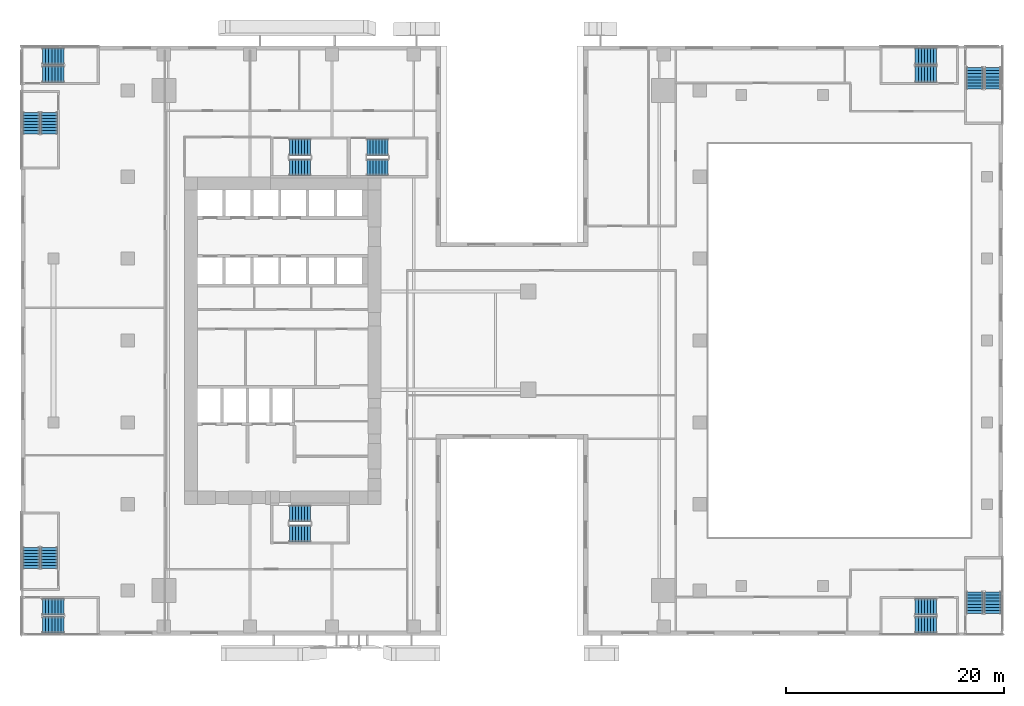
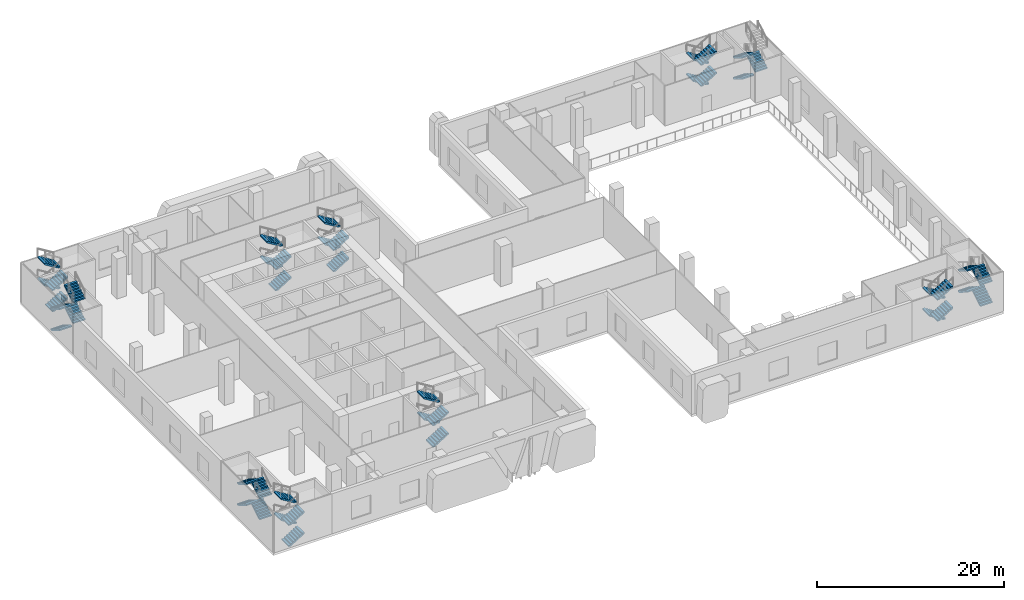
# One storey, part 15 of 23: 43 stair flights, 11 elements without a shape of their own.
"""IFC4 building model written with IfcOpenShell, lengths in metres."""

from ifc_helpers import new_model, si_unit, direction, frame, origin, place, context, subcontext, project, spatial, polyline, outline, extrude, source, transform, mapped, material, type_object, element, aggregate, save


model = new_model("IFC4")

# Units and contexts
model_context = context("Model", 3, precision=1e-05, world=origin(), true_north=direction((0.0, 1.0)))
body_context = subcontext(model_context, "Body", "Model", "MODEL_VIEW")
ifc_project = project(units=[si_unit("LENGTHUNIT", "METRE"), si_unit("AREAUNIT", "SQUARE_METRE"), si_unit("VOLUMEUNIT", "CUBIC_METRE"), si_unit("PLANEANGLEUNIT", "RADIAN"), si_unit("MASSUNIT", "GRAM", prefix="KILO")], contexts=[model_context])

# Site, building, storey
site_placement = place(None, origin())
site = spatial("IfcSite", under=ifc_project, at=site_placement, CompositionType="ELEMENT")
building_placement = place(site_placement, origin())
building = spatial("IfcBuilding", under=site, at=building_placement, Name="Khomas Fold Tower", CompositionType="ELEMENT")
storey_placement = place(building_placement, frame((0.0, 0.0, 7.5)))
storey = spatial("IfcBuildingStorey", under=building, at=storey_placement, Name="L01", CompositionType="ELEMENT", Elevation=7.5)

# Stair, stair flights
ifc_material_1 = material(Name="Concrete C40/50", Category="concrete")
stair_type_1 = type_object("IfcStairType", Name="Stair ST1", PredefinedType="HALF_TURN_STAIR", material=ifc_material_1)
stair_1_placement = place(storey_placement, origin())
stair_1 = element("IfcStair", 1, at=stair_1_placement, inside=storey, type_object=stair_type_1, Name="L01 ST1", PredefinedType="HALF_TURN_STAIR")
ifc_material_2 = material(Name="Concrete C40/50", Category="concrete")
stair_flight_type_1 = type_object("IfcStairFlightType", Name="Stair flight 1500 ST1", PredefinedType="STRAIGHT", material=ifc_material_2)
shared_shape = source(origin(), body_context, "Body", "SweptSolid", [
    extrude(outline(polyline([(0.0, 0.0), (0.0, 0.00146484375), (0.0, 0.0029296875), (0.0, 0.004150390625), (0.0, 0.005615234375), (0.0, 0.007080078125), (0.0, 0.008544921875), (0.0, 0.010009765625), (0.0, 0.011474609375), (0.0, 0.0126953125), (0.0, 0.01416015625), (0.0, 0.015625), (0.0, 0.01708984375), (0.0, 0.0185546875), (0.0, 0.019775390625), (0.0, 0.021240234375), (0.0, 0.022705078125), (0.0, 0.024169921875), (0.0, 0.025634765625), (0.0, 0.027099609375), (0.0, 0.0283203125), (0.0, 0.02978515625), (0.0, 0.03125), (0.0, 0.03271484375), (0.0, 0.0341796875), (0.0, 0.035400390625), (0.0, 0.036865234375), (0.0, 0.038330078125), (0.0, 0.039794921875), (0.0, 0.041259765625), (0.0, 0.042724609375), (0.0, 0.0439453125), (0.0, 0.04541015625), (0.0, 0.046875), (0.0, 0.04833984375), (0.0, 0.0498046875), (0.0, 0.051025390625), (0.0, 0.052490234375), (0.0, 0.053955078125), (0.0, 0.055419921875), (0.0, 0.056884765625), (0.0, 0.058349609375), (0.0, 0.0595703125), (0.0, 0.06103515625), (0.0, 0.0625), (0.0, 0.06396484375), (0.0, 0.0654296875), (0.0, 0.066650390625), (0.0, 0.068115234375), (0.0, 0.069580078125), (0.0, 0.071044921875), (0.0, 0.072509765625), (0.0, 0.073974609375), (0.0, 0.0751953125), (0.0, 0.07666015625), (0.0, 0.078125), (0.0, 0.07958984375), (0.0, 0.0810546875), (0.0, 0.082275390625), (0.0, 0.083740234375), (0.0, 0.085205078125), (0.0, 0.086669921875), (0.0, 0.088134765625), (0.0, 0.089599609375), (0.0, 0.0908203125), (0.0, 0.09228515625), (0.0, 0.09375), (0.0, 0.09521484375), (0.0, 0.0966796875), (0.0, 0.097900390625), (0.0, 0.099365234375), (0.0, 0.100830078125), (0.0, 0.102294921875), (0.0, 0.103759765625), (0.0, 0.105224609375), (0.0, 0.1064453125), (0.0, 0.10791015625), (0.0, 0.109375), (0.0, 0.11083984375), (0.0, 0.1123046875), (0.0, 0.113525390625), (0.0, 0.114990234375), (0.0, 0.116455078125), (0.0, 0.117919921875), (0.0, 0.119384765625), (0.0, 0.120849609375), (0.0, 0.1220703125), (0.0, 0.12353515625), (0.0, 0.125), (0.0, 0.12646484375), (0.0, 0.1279296875), (0.0, 0.129150390625), (0.0, 0.130615234375), (0.0, 0.132080078125), (0.0, 0.133544921875), (0.0, 0.135009765625), (0.0, 0.136474609375), (0.0, 0.1376953125), (0.0, 0.13916015625), (0.0, 0.140625), (0.0, 0.14208984375), (0.0, 0.1435546875), (0.0, 0.144775390625), (0.0, 0.146240234375), (0.0, 0.147705078125), (0.0, 0.149169921875), (0.0, 0.150634765625), (0.0, 0.152099609375), (0.0, 0.1533203125), (0.0, 0.15478515625), (0.0, 0.15625), (0.0, 0.15771484375), (0.0, 0.1591796875), (0.0, 0.160400390625), (0.0, 0.161865234375), (0.0, 0.163330078125), (0.0, 0.164794921875), (0.0, 0.166259765625), (0.0, 0.167724609375), (0.0, 0.1689453125), (0.0, 0.17041015625), (0.0, 0.171875), (0.280029296875, 0.171875), (0.280029296875, 0.34375), (0.56005859375, 0.34375), (0.56005859375, 0.515625), (0.840087890625, 0.515625), (0.840087890625, 0.6875), (1.1201171875, 0.6875), (1.1201171875, 0.859375), (1.39990234375, 0.859375), (1.39990234375, 1.03125), (1.679931640625, 1.03125), (1.679931640625, 1.203125), (1.9599609375, 1.203125), (1.9599609375, 1.375), (1.9599609375, 1.3720703125), (1.9599609375, 1.369140625), (1.9599609375, 1.366455078125), (1.9599609375, 1.363525390625), (1.9599609375, 1.360595703125), (1.9599609375, 1.357666015625), (1.9599609375, 1.35498046875), (1.9599609375, 1.35205078125), (1.9599609375, 1.34912109375), (1.9599609375, 1.34619140625), (1.9599609375, 1.343505859375), (1.9599609375, 1.340576171875), (1.9599609375, 1.337646484375), (1.9599609375, 1.334716796875), (1.9599609375, 1.331787109375), (1.9599609375, 1.3291015625), (1.9599609375, 1.326171875), (1.9599609375, 1.3232421875), (1.9599609375, 1.3203125), (1.9599609375, 1.317626953125), (1.9599609375, 1.314697265625), (1.9599609375, 1.311767578125), (1.9599609375, 1.308837890625), (1.9599609375, 1.305908203125), (1.9599609375, 1.30322265625), (1.9599609375, 1.30029296875), (1.9599609375, 1.29736328125), (1.9599609375, 1.29443359375), (1.9599609375, 1.291748046875), (1.9599609375, 1.288818359375), (1.9599609375, 1.285888671875), (1.9599609375, 1.282958984375), (1.9599609375, 1.2802734375), (1.9599609375, 1.27734375), (1.9599609375, 1.2744140625), (1.9599609375, 1.271484375), (1.9599609375, 1.2685546875), (1.9599609375, 1.265869140625), (1.9599609375, 1.262939453125), (1.9599609375, 1.260009765625), (1.9599609375, 1.257080078125), (1.9599609375, 1.25439453125), (1.9599609375, 1.25146484375), (1.9599609375, 1.24853515625), (1.9599609375, 1.24560546875), (1.9599609375, 1.24267578125), (1.9599609375, 1.239990234375), (1.9599609375, 1.237060546875), (1.9599609375, 1.234130859375), (1.9599609375, 1.231201171875), (1.9599609375, 1.228515625), (1.9599609375, 1.2255859375), (1.9599609375, 1.22265625), (1.9599609375, 1.2197265625), (1.9599609375, 1.217041015625), (1.9599609375, 1.214111328125), (1.9599609375, 1.211181640625), (1.9599609375, 1.208251953125), (1.9599609375, 1.205322265625), (1.9599609375, 1.20263671875), (1.9599609375, 1.19970703125), (1.9599609375, 1.19677734375), (1.9599609375, 1.19384765625), (1.9599609375, 1.191162109375), (1.9599609375, 1.188232421875), (1.9599609375, 1.185302734375), (1.9599609375, 1.182373046875), (1.9599609375, 1.179443359375), (1.9599609375, 1.1767578125), (1.9599609375, 1.173828125), (1.9599609375, 1.1708984375), (1.9599609375, 1.16796875), (1.9599609375, 1.165283203125), (1.9599609375, 1.162353515625), (1.9599609375, 1.159423828125), (1.9599609375, 1.156494140625), (1.9599609375, 1.15380859375), (1.9599609375, 1.15087890625), (1.9599609375, 1.14794921875), (1.9599609375, 1.14501953125), (1.9599609375, 1.14208984375), (1.9599609375, 1.139404296875), (1.9599609375, 1.136474609375), (1.9599609375, 1.133544921875), (1.9599609375, 1.130615234375), (1.9599609375, 1.1279296875), (1.9599609375, 1.125), (1.9599609375, 1.1220703125), (1.9599609375, 1.119140625), (1.9599609375, 1.1162109375), (1.9599609375, 1.113525390625), (1.9599609375, 1.110595703125), (1.9599609375, 1.107666015625), (1.9599609375, 1.104736328125), (1.9599609375, 1.10205078125), (1.9599609375, 1.09912109375), (1.9599609375, 1.09619140625), (1.9599609375, 1.09326171875), (1.9599609375, 1.090576171875), (1.9599609375, 1.087646484375), (1.9599609375, 1.084716796875), (1.9599609375, 1.081787109375), (1.9599609375, 1.078857421875), (1.9599609375, 1.076171875), (1.9599609375, 1.0732421875), (1.9599609375, 1.0703125), (1.9599609375, 1.0673828125), (1.9599609375, 1.064697265625), (1.9599609375, 1.061767578125), (1.9599609375, 1.058837890625), (1.9599609375, 1.055908203125), (1.9599609375, 1.05322265625), (1.9599609375, 1.05029296875), (1.9599609375, 1.04736328125), (1.9599609375, 1.04443359375), (1.9599609375, 1.04150390625), (1.9599609375, 1.038818359375), (1.9599609375, 1.035888671875), (1.9599609375, 1.032958984375), (1.9599609375, 1.030029296875), (1.9599609375, 1.02734375), (0.28662109375, 0.0), (0.0, 0.0)])), frame((0.0, 0.75, 0.0), z_axis=(0.0, -1.0, 0.0), x_axis=(1.0, 0.0, 0.0)), (0.0, 0.0, 1.0), 1.5),
])
stair_flight_1_placement = place(storey_placement, frame((15.60009765625, 42.85009765625, 0.0), z_axis=(0.0, 0.0, 1.0), x_axis=(1.0, 0.0, 0.0)))
stair_flight_1 = element("IfcStairFlight", 2, at=stair_flight_1_placement, type_object=stair_flight_type_1, Name="ST1 flight 1", NumberOfRisers=8, NumberOfTreads=7, PredefinedType="STRAIGHT", RiserHeight=0.171875, TreadLength=0.28, context=body_context, shape_type="MappedRepresentation", body=[
    mapped(shared_shape, transform((0.0, 0.0, 0.0))),
])
stair_flight_2_placement = place(storey_placement, frame((17.56005859375, 44.699951171875, 1.375), z_axis=(0.0, 0.0, 1.0), x_axis=(-1.0, 0.0, 0.0)))
stair_flight_2 = element("IfcStairFlight", 3, at=stair_flight_2_placement, type_object=stair_flight_type_1, Name="ST1 flight 2", NumberOfRisers=8, NumberOfTreads=7, PredefinedType="STRAIGHT", RiserHeight=0.171875, TreadLength=0.28, context=body_context, shape_type="MappedRepresentation", body=[
    mapped(shared_shape, transform((0.0, 0.0, 0.0))),
])
stair_flight_3_placement = place(storey_placement, frame((15.60009765625, 42.85009765625, 2.75), z_axis=(0.0, 0.0, 1.0), x_axis=(1.0, 0.0, 0.0)))
stair_flight_3 = element("IfcStairFlight", 4, at=stair_flight_3_placement, type_object=stair_flight_type_1, Name="ST1 flight 3", NumberOfRisers=8, NumberOfTreads=7, PredefinedType="STRAIGHT", RiserHeight=0.171875, TreadLength=0.28, context=body_context, shape_type="MappedRepresentation", body=[
    mapped(shared_shape, transform((0.0, 0.0, 0.0))),
])
stair_flight_4_placement = place(storey_placement, frame((17.56005859375, 44.699951171875, 4.125), z_axis=(0.0, 0.0, 1.0), x_axis=(-1.0, 0.0, 0.0)))
stair_flight_4 = element("IfcStairFlight", 5, at=stair_flight_4_placement, type_object=stair_flight_type_1, Name="ST1 flight 4", NumberOfRisers=8, NumberOfTreads=7, PredefinedType="STRAIGHT", RiserHeight=0.171875, TreadLength=0.28, context=body_context, shape_type="MappedRepresentation", body=[
    mapped(shared_shape, transform((0.0, 0.0, 0.0))),
])
aggregate(stair_1, [stair_flight_1, stair_flight_2, stair_flight_3, stair_flight_4])

ifc_material_3 = material(Name="Concrete C40/50", Category="concrete")
stair_type_2 = type_object("IfcStairType", Name="Stair ST2", PredefinedType="HALF_TURN_STAIR", material=ifc_material_3)
stair_2_placement = place(storey_placement, origin())
stair_2 = element("IfcStair", 6, at=stair_2_placement, inside=storey, type_object=stair_type_2, Name="L01 ST2", PredefinedType="HALF_TURN_STAIR")
ifc_material_4 = material(Name="Concrete C40/50", Category="concrete")
stair_flight_type_2 = type_object("IfcStairFlightType", Name="Stair flight 1500 ST2", PredefinedType="STRAIGHT", material=ifc_material_4)
stair_flight_5_placement = place(storey_placement, frame((15.60009765625, 9.300048828125, 0.0), z_axis=(0.0, 0.0, 1.0), x_axis=(1.0, 0.0, 0.0)))
stair_flight_5 = element("IfcStairFlight", 7, at=stair_flight_5_placement, type_object=stair_flight_type_2, Name="ST2 flight 1", NumberOfRisers=8, NumberOfTreads=7, PredefinedType="STRAIGHT", RiserHeight=0.171875, TreadLength=0.28, context=body_context, shape_type="MappedRepresentation", body=[
    mapped(shared_shape, transform((0.0, 0.0, 0.0))),
])
stair_flight_6_placement = place(storey_placement, frame((17.56005859375, 11.14990234375, 1.375), z_axis=(0.0, 0.0, 1.0), x_axis=(-1.0, 0.0, 0.0)))
stair_flight_6 = element("IfcStairFlight", 8, at=stair_flight_6_placement, type_object=stair_flight_type_2, Name="ST2 flight 2", NumberOfRisers=8, NumberOfTreads=7, PredefinedType="STRAIGHT", RiserHeight=0.171875, TreadLength=0.28, context=body_context, shape_type="MappedRepresentation", body=[
    mapped(shared_shape, transform((0.0, 0.0, 0.0))),
])
stair_flight_7_placement = place(storey_placement, frame((15.60009765625, 9.300048828125, 2.75), z_axis=(0.0, 0.0, 1.0), x_axis=(1.0, 0.0, 0.0)))
stair_flight_7 = element("IfcStairFlight", 9, at=stair_flight_7_placement, type_object=stair_flight_type_2, Name="ST2 flight 3", NumberOfRisers=8, NumberOfTreads=7, PredefinedType="STRAIGHT", RiserHeight=0.171875, TreadLength=0.28, context=body_context, shape_type="MappedRepresentation", body=[
    mapped(shared_shape, transform((0.0, 0.0, 0.0))),
])
stair_flight_8_placement = place(storey_placement, frame((17.56005859375, 11.14990234375, 4.125), z_axis=(0.0, 0.0, 1.0), x_axis=(-1.0, 0.0, 0.0)))
stair_flight_8 = element("IfcStairFlight", 10, at=stair_flight_8_placement, type_object=stair_flight_type_2, Name="ST2 flight 4", NumberOfRisers=8, NumberOfTreads=7, PredefinedType="STRAIGHT", RiserHeight=0.171875, TreadLength=0.28, context=body_context, shape_type="MappedRepresentation", body=[
    mapped(shared_shape, transform((0.0, 0.0, 0.0))),
])
aggregate(stair_2, [stair_flight_5, stair_flight_6, stair_flight_7, stair_flight_8])

ifc_material_5 = material(Name="Concrete C40/50", Category="concrete")
stair_type_3 = type_object("IfcStairType", Name="Stair ST3", PredefinedType="HALF_TURN_STAIR", material=ifc_material_5)
stair_3_placement = place(storey_placement, origin())
stair_3 = element("IfcStair", 11, at=stair_3_placement, inside=storey, type_object=stair_type_3, Name="L01 ST3", PredefinedType="HALF_TURN_STAIR")
ifc_material_6 = material(Name="Concrete C40/50", Category="concrete")
stair_flight_type_3 = type_object("IfcStairFlightType", Name="Stair flight 1500 ST3", PredefinedType="STRAIGHT", material=ifc_material_6)
stair_flight_9_placement = place(storey_placement, frame((22.699951171875, 42.85009765625, 0.0), z_axis=(0.0, 0.0, 1.0), x_axis=(1.0, 0.0, 0.0)))
stair_flight_9 = element("IfcStairFlight", 12, at=stair_flight_9_placement, type_object=stair_flight_type_3, Name="ST3 flight 1", NumberOfRisers=8, NumberOfTreads=7, PredefinedType="STRAIGHT", RiserHeight=0.171875, TreadLength=0.28, context=body_context, shape_type="MappedRepresentation", body=[
    mapped(shared_shape, transform((0.0, 0.0, 0.0))),
])
stair_flight_10_placement = place(storey_placement, frame((24.659912109375, 44.699951171875, 1.375), z_axis=(0.0, 0.0, 1.0), x_axis=(-1.0, 0.0, 0.0)))
stair_flight_10 = element("IfcStairFlight", 13, at=stair_flight_10_placement, type_object=stair_flight_type_3, Name="ST3 flight 2", NumberOfRisers=8, NumberOfTreads=7, PredefinedType="STRAIGHT", RiserHeight=0.171875, TreadLength=0.28, context=body_context, shape_type="MappedRepresentation", body=[
    mapped(shared_shape, transform((0.0, 0.0, 0.0))),
])
stair_flight_11_placement = place(storey_placement, frame((22.699951171875, 42.85009765625, 2.75), z_axis=(0.0, 0.0, 1.0), x_axis=(1.0, 0.0, 0.0)))
stair_flight_11 = element("IfcStairFlight", 14, at=stair_flight_11_placement, type_object=stair_flight_type_3, Name="ST3 flight 3", NumberOfRisers=8, NumberOfTreads=7, PredefinedType="STRAIGHT", RiserHeight=0.171875, TreadLength=0.28, context=body_context, shape_type="MappedRepresentation", body=[
    mapped(shared_shape, transform((0.0, 0.0, 0.0))),
])
stair_flight_12_placement = place(storey_placement, frame((24.659912109375, 44.699951171875, 4.125), z_axis=(0.0, 0.0, 1.0), x_axis=(-1.0, 0.0, 0.0)))
stair_flight_12 = element("IfcStairFlight", 15, at=stair_flight_12_placement, type_object=stair_flight_type_3, Name="ST3 flight 4", NumberOfRisers=8, NumberOfTreads=7, PredefinedType="STRAIGHT", RiserHeight=0.171875, TreadLength=0.28, context=body_context, shape_type="MappedRepresentation", body=[
    mapped(shared_shape, transform((0.0, 0.0, 0.0))),
])
aggregate(stair_3, [stair_flight_9, stair_flight_10, stair_flight_11, stair_flight_12])

ifc_material_7 = material(Name="Concrete C40/50", Category="concrete")
stair_type_4 = type_object("IfcStairType", Name="Stair PS1", PredefinedType="HALF_TURN_STAIR", material=ifc_material_7)
stair_4_placement = place(storey_placement, origin())
stair_4 = element("IfcStair", 16, at=stair_4_placement, inside=storey, type_object=stair_type_4, Name="L01 PS1", PredefinedType="HALF_TURN_STAIR")
ifc_material_8 = material(Name="Concrete C40/50", Category="concrete")
stair_flight_type_4 = type_object("IfcStairFlightType", Name="Stair flight 1500 PS1", PredefinedType="STRAIGHT", material=ifc_material_8)
stair_flight_13_placement = place(storey_placement, frame((-7.0, 0.949951171875, 0.0), z_axis=(0.0, 0.0, 1.0), x_axis=(1.0, 0.0, 0.0)))
stair_flight_13 = element("IfcStairFlight", 17, at=stair_flight_13_placement, type_object=stair_flight_type_4, Name="PS1 flight 1", NumberOfRisers=8, NumberOfTreads=7, PredefinedType="STRAIGHT", RiserHeight=0.171875, TreadLength=0.28, context=body_context, shape_type="MappedRepresentation", body=[
    mapped(shared_shape, transform((0.0, 0.0, 0.0))),
])
stair_flight_14_placement = place(storey_placement, frame((-5.0400390625, 2.60009765625, 1.375), z_axis=(0.0, 0.0, 1.0), x_axis=(-1.0, 0.0, 0.0)))
stair_flight_14 = element("IfcStairFlight", 18, at=stair_flight_14_placement, type_object=stair_flight_type_4, Name="PS1 flight 2", NumberOfRisers=8, NumberOfTreads=7, PredefinedType="STRAIGHT", RiserHeight=0.171875, TreadLength=0.28, context=body_context, shape_type="MappedRepresentation", body=[
    mapped(shared_shape, transform((0.0, 0.0, 0.0))),
])
stair_flight_15_placement = place(storey_placement, frame((-7.0, 0.949951171875, 2.75), z_axis=(0.0, 0.0, 1.0), x_axis=(1.0, 0.0, 0.0)))
stair_flight_15 = element("IfcStairFlight", 19, at=stair_flight_15_placement, type_object=stair_flight_type_4, Name="PS1 flight 3", NumberOfRisers=8, NumberOfTreads=7, PredefinedType="STRAIGHT", RiserHeight=0.171875, TreadLength=0.28, context=body_context, shape_type="MappedRepresentation", body=[
    mapped(shared_shape, transform((0.0, 0.0, 0.0))),
])
stair_flight_16_placement = place(storey_placement, frame((-5.0400390625, 2.60009765625, 4.125), z_axis=(0.0, 0.0, 1.0), x_axis=(-1.0, 0.0, 0.0)))
stair_flight_16 = element("IfcStairFlight", 20, at=stair_flight_16_placement, type_object=stair_flight_type_4, Name="PS1 flight 4", NumberOfRisers=8, NumberOfTreads=7, PredefinedType="STRAIGHT", RiserHeight=0.171875, TreadLength=0.28, context=body_context, shape_type="MappedRepresentation", body=[
    mapped(shared_shape, transform((0.0, 0.0, 0.0))),
])
aggregate(stair_4, [stair_flight_13, stair_flight_14, stair_flight_15, stair_flight_16])

ifc_material_9 = material(Name="Concrete C40/50", Category="concrete")
stair_type_5 = type_object("IfcStairType", Name="Stair PS2", PredefinedType="HALF_TURN_STAIR", material=ifc_material_9)
stair_5_placement = place(storey_placement, origin())
stair_5 = element("IfcStair", 21, at=stair_5_placement, inside=storey, type_object=stair_type_5, Name="L01 PS2", PredefinedType="HALF_TURN_STAIR")
ifc_material_10 = material(Name="Concrete C40/50", Category="concrete")
stair_flight_type_5 = type_object("IfcStairFlightType", Name="Stair flight 1500 PS2", PredefinedType="STRAIGHT", material=ifc_material_10)
stair_flight_17_placement = place(storey_placement, frame((-6.39990234375, 6.10009765625, 0.0), z_axis=(0.0, 0.0, 1.0), x_axis=(0.0, 1.0, 0.0)))
stair_flight_17 = element("IfcStairFlight", 22, at=stair_flight_17_placement, type_object=stair_flight_type_5, Name="PS2 flight 1", NumberOfRisers=8, NumberOfTreads=7, PredefinedType="STRAIGHT", RiserHeight=0.171875, TreadLength=0.28, context=body_context, shape_type="MappedRepresentation", body=[
    mapped(shared_shape, transform((0.0, 0.0, 0.0))),
])
stair_flight_18_placement = place(storey_placement, frame((-8.050048828125, 8.06005859375, 1.375), z_axis=(0.0, 0.0, 1.0), x_axis=(0.0, -1.0, 0.0)))
stair_flight_18 = element("IfcStairFlight", 23, at=stair_flight_18_placement, type_object=stair_flight_type_5, Name="PS2 flight 2", NumberOfRisers=8, NumberOfTreads=7, PredefinedType="STRAIGHT", RiserHeight=0.171875, TreadLength=0.28, context=body_context, shape_type="MappedRepresentation", body=[
    mapped(shared_shape, transform((0.0, 0.0, 0.0))),
])
stair_flight_19_placement = place(storey_placement, frame((-6.39990234375, 6.10009765625, 2.75), z_axis=(0.0, 0.0, 1.0), x_axis=(0.0, 1.0, 0.0)))
stair_flight_19 = element("IfcStairFlight", 24, at=stair_flight_19_placement, type_object=stair_flight_type_5, Name="PS2 flight 3", NumberOfRisers=8, NumberOfTreads=7, PredefinedType="STRAIGHT", RiserHeight=0.171875, TreadLength=0.28, context=body_context, shape_type="MappedRepresentation", body=[
    mapped(shared_shape, transform((0.0, 0.0, 0.0))),
])
stair_flight_20_placement = place(storey_placement, frame((-8.050048828125, 8.06005859375, 4.125), z_axis=(0.0, 0.0, 1.0), x_axis=(0.0, -1.0, 0.0)))
stair_flight_20 = element("IfcStairFlight", 25, at=stair_flight_20_placement, type_object=stair_flight_type_5, Name="PS2 flight 4", NumberOfRisers=8, NumberOfTreads=7, PredefinedType="STRAIGHT", RiserHeight=0.171875, TreadLength=0.28, context=body_context, shape_type="MappedRepresentation", body=[
    mapped(shared_shape, transform((0.0, 0.0, 0.0))),
])
aggregate(stair_5, [stair_flight_17, stair_flight_18, stair_flight_19, stair_flight_20])

ifc_material_11 = material(Name="Concrete C40/50", Category="concrete")
stair_type_6 = type_object("IfcStairType", Name="Stair PS3", PredefinedType="HALF_TURN_STAIR", material=ifc_material_11)
stair_6_placement = place(storey_placement, origin())
stair_6 = element("IfcStair", 26, at=stair_6_placement, inside=storey, type_object=stair_type_6, Name="L01 PS3", PredefinedType="HALF_TURN_STAIR")
ifc_material_12 = material(Name="Concrete C40/50", Category="concrete")
stair_flight_type_6 = type_object("IfcStairFlightType", Name="Stair flight 1500 PS3", PredefinedType="STRAIGHT", material=ifc_material_12)
stair_flight_21_placement = place(storey_placement, frame((74.89990234375, 2.60009765625, 0.0), z_axis=(0.0, 0.0, 1.0), x_axis=(-1.0, 0.0, 0.0)))
stair_flight_21 = element("IfcStairFlight", 27, at=stair_flight_21_placement, type_object=stair_flight_type_6, Name="PS3 flight 1", NumberOfRisers=8, NumberOfTreads=7, PredefinedType="STRAIGHT", RiserHeight=0.171875, TreadLength=0.28, context=body_context, shape_type="MappedRepresentation", body=[
    mapped(shared_shape, transform((0.0, 0.0, 0.0))),
])
stair_flight_22_placement = place(storey_placement, frame((72.93994140625, 0.949951171875, 1.375), z_axis=(0.0, 0.0, 1.0), x_axis=(1.0, 0.0, 0.0)))
stair_flight_22 = element("IfcStairFlight", 28, at=stair_flight_22_placement, type_object=stair_flight_type_6, Name="PS3 flight 2", NumberOfRisers=8, NumberOfTreads=7, PredefinedType="STRAIGHT", RiserHeight=0.171875, TreadLength=0.28, context=body_context, shape_type="MappedRepresentation", body=[
    mapped(shared_shape, transform((0.0, 0.0, 0.0))),
])
stair_flight_23_placement = place(storey_placement, frame((74.89990234375, 2.60009765625, 2.75), z_axis=(0.0, 0.0, 1.0), x_axis=(-1.0, 0.0, 0.0)))
stair_flight_23 = element("IfcStairFlight", 29, at=stair_flight_23_placement, type_object=stair_flight_type_6, Name="PS3 flight 3", NumberOfRisers=8, NumberOfTreads=7, PredefinedType="STRAIGHT", RiserHeight=0.171875, TreadLength=0.28, context=body_context, shape_type="MappedRepresentation", body=[
    mapped(shared_shape, transform((0.0, 0.0, 0.0))),
])
stair_flight_24_placement = place(storey_placement, frame((72.93994140625, 0.949951171875, 4.125), z_axis=(0.0, 0.0, 1.0), x_axis=(1.0, 0.0, 0.0)))
stair_flight_24 = element("IfcStairFlight", 30, at=stair_flight_24_placement, type_object=stair_flight_type_6, Name="PS3 flight 4", NumberOfRisers=8, NumberOfTreads=7, PredefinedType="STRAIGHT", RiserHeight=0.171875, TreadLength=0.28, context=body_context, shape_type="MappedRepresentation", body=[
    mapped(shared_shape, transform((0.0, 0.0, 0.0))),
])
aggregate(stair_6, [stair_flight_21, stair_flight_22, stair_flight_23, stair_flight_24])

ifc_material_13 = material(Name="Concrete C40/50", Category="concrete")
stair_type_7 = type_object("IfcStairType", Name="Stair PS4", PredefinedType="HALF_TURN_STAIR", material=ifc_material_13)
stair_7_placement = place(storey_placement, origin())
stair_7 = element("IfcStair", 31, at=stair_7_placement, inside=storey, type_object=stair_type_7, Name="L01 PS4", PredefinedType="HALF_TURN_STAIR")
ifc_material_14 = material(Name="Concrete C40/50", Category="concrete")
stair_flight_type_7 = type_object("IfcStairFlightType", Name="Stair flight 1500 PS4", PredefinedType="STRAIGHT", material=ifc_material_14)
stair_flight_25_placement = place(storey_placement, frame((80.050048828125, 2.0, 0.0), z_axis=(0.0, 0.0, 1.0), x_axis=(0.0, 1.0, 0.0)))
stair_flight_25 = element("IfcStairFlight", 32, at=stair_flight_25_placement, type_object=stair_flight_type_7, Name="PS4 flight 1", NumberOfRisers=8, NumberOfTreads=7, PredefinedType="STRAIGHT", RiserHeight=0.171875, TreadLength=0.28, context=body_context, shape_type="MappedRepresentation", body=[
    mapped(shared_shape, transform((0.0, 0.0, 0.0))),
])
stair_flight_26_placement = place(storey_placement, frame((78.39990234375, 3.9599609375, 1.375), z_axis=(0.0, 0.0, 1.0), x_axis=(0.0, -1.0, 0.0)))
stair_flight_26 = element("IfcStairFlight", 33, at=stair_flight_26_placement, type_object=stair_flight_type_7, Name="PS4 flight 2", NumberOfRisers=8, NumberOfTreads=7, PredefinedType="STRAIGHT", RiserHeight=0.171875, TreadLength=0.28, context=body_context, shape_type="MappedRepresentation", body=[
    mapped(shared_shape, transform((0.0, 0.0, 0.0))),
])
stair_flight_27_placement = place(storey_placement, frame((80.050048828125, 2.0, 2.75), z_axis=(0.0, 0.0, 1.0), x_axis=(0.0, 1.0, 0.0)))
stair_flight_27 = element("IfcStairFlight", 34, at=stair_flight_27_placement, type_object=stair_flight_type_7, Name="PS4 flight 3", NumberOfRisers=8, NumberOfTreads=7, PredefinedType="STRAIGHT", RiserHeight=0.171875, TreadLength=0.28, context=body_context, shape_type="MappedRepresentation", body=[
    mapped(shared_shape, transform((0.0, 0.0, 0.0))),
])
stair_flight_28_placement = place(storey_placement, frame((78.39990234375, 3.9599609375, 4.125), z_axis=(0.0, 0.0, 1.0), x_axis=(0.0, -1.0, 0.0)))
stair_flight_28 = element("IfcStairFlight", 35, at=stair_flight_28_placement, type_object=stair_flight_type_7, Name="PS4 flight 4", NumberOfRisers=8, NumberOfTreads=7, PredefinedType="STRAIGHT", RiserHeight=0.171875, TreadLength=0.28, context=body_context, shape_type="MappedRepresentation", body=[
    mapped(shared_shape, transform((0.0, 0.0, 0.0))),
])
aggregate(stair_7, [stair_flight_25, stair_flight_26, stair_flight_27, stair_flight_28])

ifc_material_15 = material(Name="Concrete C40/50", Category="concrete")
stair_type_8 = type_object("IfcStairType", Name="Stair PS5", PredefinedType="HALF_TURN_STAIR", material=ifc_material_15)
stair_8_placement = place(storey_placement, origin())
stair_8 = element("IfcStair", 36, at=stair_8_placement, inside=storey, type_object=stair_type_8, Name="L01 PS5", PredefinedType="HALF_TURN_STAIR")
ifc_material_16 = material(Name="Concrete C40/50", Category="concrete")
stair_flight_type_8 = type_object("IfcStairFlightType", Name="Stair flight 1500 PS5", PredefinedType="STRAIGHT", material=ifc_material_16)
stair_flight_29_placement = place(storey_placement, frame((74.89990234375, 53.050048828125, 0.0), z_axis=(0.0, 0.0, 1.0), x_axis=(-1.0, 0.0, 0.0)))
stair_flight_29 = element("IfcStairFlight", 37, at=stair_flight_29_placement, type_object=stair_flight_type_8, Name="PS5 flight 1", NumberOfRisers=8, NumberOfTreads=7, PredefinedType="STRAIGHT", RiserHeight=0.171875, TreadLength=0.28, context=body_context, shape_type="MappedRepresentation", body=[
    mapped(shared_shape, transform((0.0, 0.0, 0.0))),
])
stair_flight_30_placement = place(storey_placement, frame((72.93994140625, 51.39990234375, 1.375), z_axis=(0.0, 0.0, 1.0), x_axis=(1.0, 0.0, 0.0)))
stair_flight_30 = element("IfcStairFlight", 38, at=stair_flight_30_placement, type_object=stair_flight_type_8, Name="PS5 flight 2", NumberOfRisers=8, NumberOfTreads=7, PredefinedType="STRAIGHT", RiserHeight=0.171875, TreadLength=0.28, context=body_context, shape_type="MappedRepresentation", body=[
    mapped(shared_shape, transform((0.0, 0.0, 0.0))),
])
stair_flight_31_placement = place(storey_placement, frame((74.89990234375, 53.050048828125, 2.75), z_axis=(0.0, 0.0, 1.0), x_axis=(-1.0, 0.0, 0.0)))
stair_flight_31 = element("IfcStairFlight", 39, at=stair_flight_31_placement, type_object=stair_flight_type_8, Name="PS5 flight 3", NumberOfRisers=8, NumberOfTreads=7, PredefinedType="STRAIGHT", RiserHeight=0.171875, TreadLength=0.28, context=body_context, shape_type="MappedRepresentation", body=[
    mapped(shared_shape, transform((0.0, 0.0, 0.0))),
])
stair_flight_32_placement = place(storey_placement, frame((72.93994140625, 51.39990234375, 4.125), z_axis=(0.0, 0.0, 1.0), x_axis=(1.0, 0.0, 0.0)))
stair_flight_32 = element("IfcStairFlight", 40, at=stair_flight_32_placement, type_object=stair_flight_type_8, Name="PS5 flight 4", NumberOfRisers=8, NumberOfTreads=7, PredefinedType="STRAIGHT", RiserHeight=0.171875, TreadLength=0.28, context=body_context, shape_type="MappedRepresentation", body=[
    mapped(shared_shape, transform((0.0, 0.0, 0.0))),
])
aggregate(stair_8, [stair_flight_29, stair_flight_30, stair_flight_31, stair_flight_32])

ifc_material_17 = material(Name="Concrete C40/50", Category="concrete")
stair_type_9 = type_object("IfcStairType", Name="Stair PS6", PredefinedType="HALF_TURN_STAIR", material=ifc_material_17)
stair_9_placement = place(storey_placement, origin())
stair_9 = element("IfcStair", 41, at=stair_9_placement, inside=storey, type_object=stair_type_9, Name="L01 PS6", PredefinedType="HALF_TURN_STAIR")
ifc_material_18 = material(Name="Concrete C40/50", Category="concrete")
stair_flight_type_9 = type_object("IfcStairFlightType", Name="Stair flight 1500 PS6", PredefinedType="STRAIGHT", material=ifc_material_18)
stair_flight_33_placement = place(storey_placement, frame((78.39990234375, 52.0, 0.0), z_axis=(0.0, 0.0, 1.0), x_axis=(0.0, -1.0, 0.0)))
stair_flight_33 = element("IfcStairFlight", 42, at=stair_flight_33_placement, type_object=stair_flight_type_9, Name="PS6 flight 1", NumberOfRisers=8, NumberOfTreads=7, PredefinedType="STRAIGHT", RiserHeight=0.171875, TreadLength=0.28, context=body_context, shape_type="MappedRepresentation", body=[
    mapped(shared_shape, transform((0.0, 0.0, 0.0))),
])
stair_flight_34_placement = place(storey_placement, frame((80.050048828125, 50.0400390625, 1.375), z_axis=(0.0, 0.0, 1.0), x_axis=(0.0, 1.0, 0.0)))
stair_flight_34 = element("IfcStairFlight", 43, at=stair_flight_34_placement, type_object=stair_flight_type_9, Name="PS6 flight 2", NumberOfRisers=8, NumberOfTreads=7, PredefinedType="STRAIGHT", RiserHeight=0.171875, TreadLength=0.28, context=body_context, shape_type="MappedRepresentation", body=[
    mapped(shared_shape, transform((0.0, 0.0, 0.0))),
])
stair_flight_35_placement = place(storey_placement, frame((78.39990234375, 52.0, 2.75), z_axis=(0.0, 0.0, 1.0), x_axis=(0.0, -1.0, 0.0)))
stair_flight_35 = element("IfcStairFlight", 44, at=stair_flight_35_placement, type_object=stair_flight_type_9, Name="PS6 flight 3", NumberOfRisers=8, NumberOfTreads=7, PredefinedType="STRAIGHT", RiserHeight=0.171875, TreadLength=0.28, context=body_context, shape_type="MappedRepresentation", body=[
    mapped(shared_shape, transform((0.0, 0.0, 0.0))),
])
aggregate(stair_9, [stair_flight_33, stair_flight_34, stair_flight_35])

ifc_material_19 = material(Name="Concrete C40/50", Category="concrete")
stair_type_10 = type_object("IfcStairType", Name="Stair PS7", PredefinedType="HALF_TURN_STAIR", material=ifc_material_19)
stair_10_placement = place(storey_placement, origin())
stair_10 = element("IfcStair", 45, at=stair_10_placement, inside=storey, type_object=stair_type_10, Name="L01 PS7", PredefinedType="HALF_TURN_STAIR")
ifc_material_20 = material(Name="Concrete C40/50", Category="concrete")
stair_flight_type_10 = type_object("IfcStairFlightType", Name="Stair flight 1500 PS7", PredefinedType="STRAIGHT", material=ifc_material_20)
stair_flight_36_placement = place(storey_placement, frame((-7.0, 51.39990234375, 0.0), z_axis=(0.0, 0.0, 1.0), x_axis=(1.0, 0.0, 0.0)))
stair_flight_36 = element("IfcStairFlight", 46, at=stair_flight_36_placement, type_object=stair_flight_type_10, Name="PS7 flight 1", NumberOfRisers=8, NumberOfTreads=7, PredefinedType="STRAIGHT", RiserHeight=0.171875, TreadLength=0.28, context=body_context, shape_type="MappedRepresentation", body=[
    mapped(shared_shape, transform((0.0, 0.0, 0.0))),
])
stair_flight_37_placement = place(storey_placement, frame((-5.0400390625, 53.050048828125, 1.375), z_axis=(0.0, 0.0, 1.0), x_axis=(-1.0, 0.0, 0.0)))
stair_flight_37 = element("IfcStairFlight", 47, at=stair_flight_37_placement, type_object=stair_flight_type_10, Name="PS7 flight 2", NumberOfRisers=8, NumberOfTreads=7, PredefinedType="STRAIGHT", RiserHeight=0.171875, TreadLength=0.28, context=body_context, shape_type="MappedRepresentation", body=[
    mapped(shared_shape, transform((0.0, 0.0, 0.0))),
])
stair_flight_38_placement = place(storey_placement, frame((-7.0, 51.39990234375, 2.75), z_axis=(0.0, 0.0, 1.0), x_axis=(1.0, 0.0, 0.0)))
stair_flight_38 = element("IfcStairFlight", 48, at=stair_flight_38_placement, type_object=stair_flight_type_10, Name="PS7 flight 3", NumberOfRisers=8, NumberOfTreads=7, PredefinedType="STRAIGHT", RiserHeight=0.171875, TreadLength=0.28, context=body_context, shape_type="MappedRepresentation", body=[
    mapped(shared_shape, transform((0.0, 0.0, 0.0))),
])
stair_flight_39_placement = place(storey_placement, frame((-5.0400390625, 53.050048828125, 4.125), z_axis=(0.0, 0.0, 1.0), x_axis=(-1.0, 0.0, 0.0)))
stair_flight_39 = element("IfcStairFlight", 49, at=stair_flight_39_placement, type_object=stair_flight_type_10, Name="PS7 flight 4", NumberOfRisers=8, NumberOfTreads=7, PredefinedType="STRAIGHT", RiserHeight=0.171875, TreadLength=0.28, context=body_context, shape_type="MappedRepresentation", body=[
    mapped(shared_shape, transform((0.0, 0.0, 0.0))),
])
aggregate(stair_10, [stair_flight_36, stair_flight_37, stair_flight_38, stair_flight_39])

ifc_material_21 = material(Name="Concrete C40/50", Category="concrete")
stair_type_11 = type_object("IfcStairType", Name="Stair PS8", PredefinedType="HALF_TURN_STAIR", material=ifc_material_21)
stair_11_placement = place(storey_placement, origin())
stair_11 = element("IfcStair", 50, at=stair_11_placement, inside=storey, type_object=stair_type_11, Name="L01 PS8", PredefinedType="HALF_TURN_STAIR")
ifc_material_22 = material(Name="Concrete C40/50", Category="concrete")
stair_flight_type_11 = type_object("IfcStairFlightType", Name="Stair flight 1500 PS8", PredefinedType="STRAIGHT", material=ifc_material_22)
stair_flight_40_placement = place(storey_placement, frame((-8.050048828125, 47.89990234375, 0.0), z_axis=(0.0, 0.0, 1.0), x_axis=(0.0, -1.0, 0.0)))
stair_flight_40 = element("IfcStairFlight", 51, at=stair_flight_40_placement, type_object=stair_flight_type_11, Name="PS8 flight 1", NumberOfRisers=8, NumberOfTreads=7, PredefinedType="STRAIGHT", RiserHeight=0.171875, TreadLength=0.28, context=body_context, shape_type="MappedRepresentation", body=[
    mapped(shared_shape, transform((0.0, 0.0, 0.0))),
])
stair_flight_41_placement = place(storey_placement, frame((-6.39990234375, 45.93994140625, 1.375), z_axis=(0.0, 0.0, 1.0), x_axis=(0.0, 1.0, 0.0)))
stair_flight_41 = element("IfcStairFlight", 52, at=stair_flight_41_placement, type_object=stair_flight_type_11, Name="PS8 flight 2", NumberOfRisers=8, NumberOfTreads=7, PredefinedType="STRAIGHT", RiserHeight=0.171875, TreadLength=0.28, context=body_context, shape_type="MappedRepresentation", body=[
    mapped(shared_shape, transform((0.0, 0.0, 0.0))),
])
stair_flight_42_placement = place(storey_placement, frame((-8.050048828125, 47.89990234375, 2.75), z_axis=(0.0, 0.0, 1.0), x_axis=(0.0, -1.0, 0.0)))
stair_flight_42 = element("IfcStairFlight", 53, at=stair_flight_42_placement, type_object=stair_flight_type_11, Name="PS8 flight 3", NumberOfRisers=8, NumberOfTreads=7, PredefinedType="STRAIGHT", RiserHeight=0.171875, TreadLength=0.28, context=body_context, shape_type="MappedRepresentation", body=[
    mapped(shared_shape, transform((0.0, 0.0, 0.0))),
])
stair_flight_43_placement = place(storey_placement, frame((-6.39990234375, 45.93994140625, 4.125), z_axis=(0.0, 0.0, 1.0), x_axis=(0.0, 1.0, 0.0)))
stair_flight_43 = element("IfcStairFlight", 54, at=stair_flight_43_placement, type_object=stair_flight_type_11, Name="PS8 flight 4", NumberOfRisers=8, NumberOfTreads=7, PredefinedType="STRAIGHT", RiserHeight=0.171875, TreadLength=0.28, context=body_context, shape_type="MappedRepresentation", body=[
    mapped(shared_shape, transform((0.0, 0.0, 0.0))),
])
aggregate(stair_11, [stair_flight_40, stair_flight_41, stair_flight_42, stair_flight_43])

save(model, "model.ifc")
